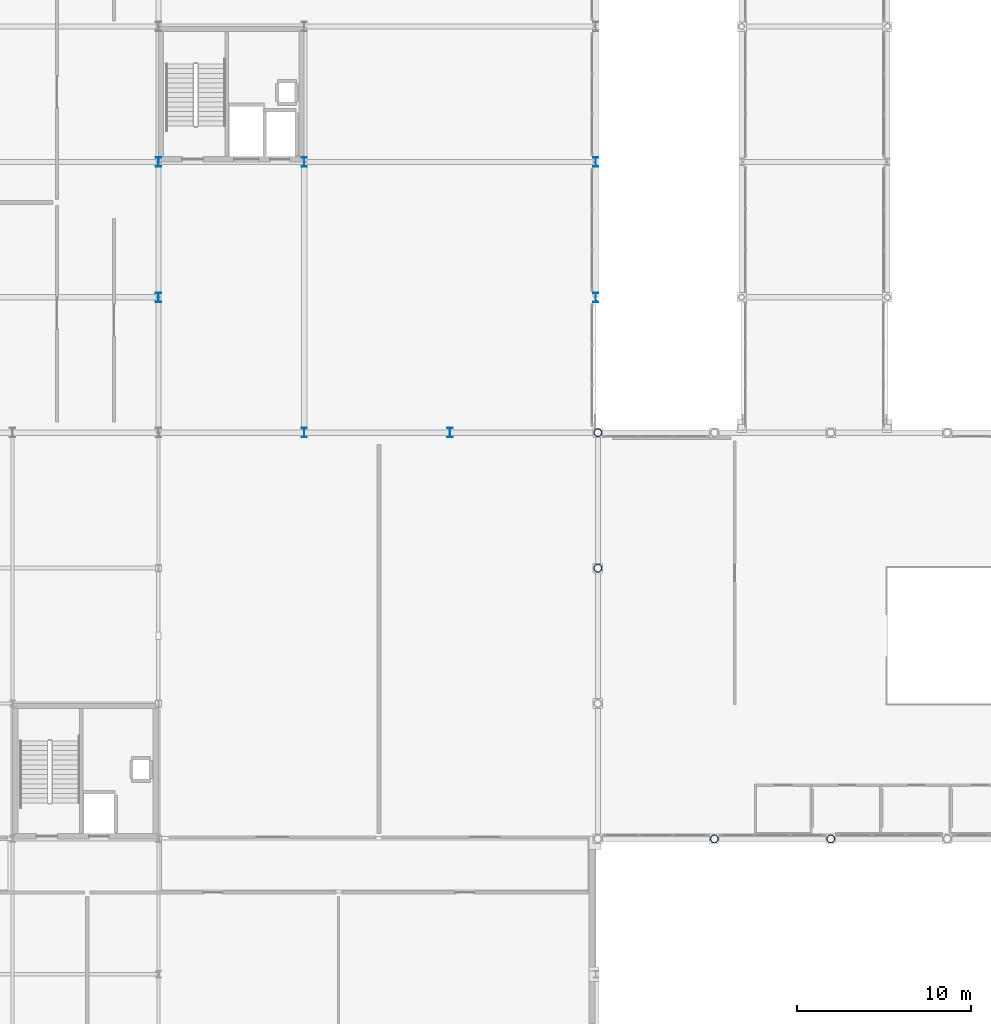
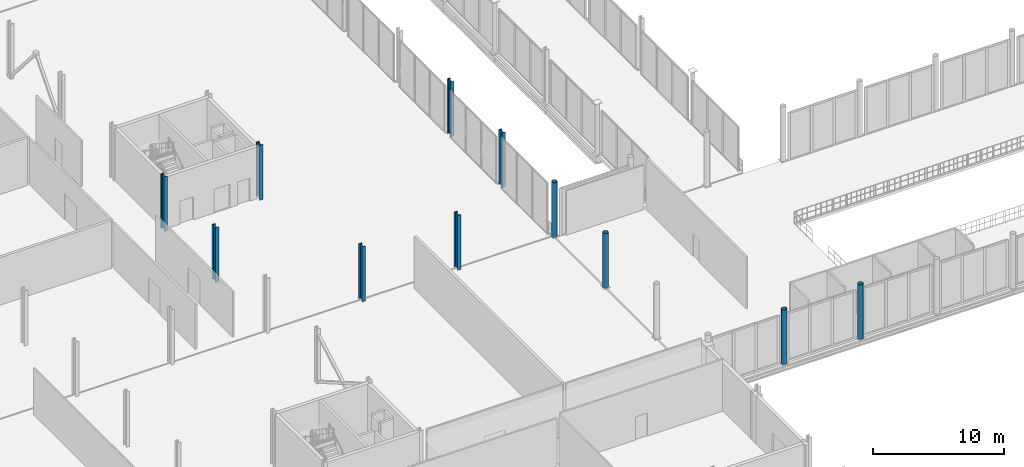
# One storey, part 4 of 105: 11 columns.
"""IFC4 building model written with IfcOpenShell, lengths in metres."""

from ifc_helpers import new_model, si_unit, direction, frame, origin, origin_2d, place, context, subcontext, project, spatial, hollow_circle, i_section, extrude, material, material_profile, profile_set, type_object, element, save


model = new_model("IFC4")

# Units and contexts
model_context = context("Model", 3, precision=1e-05, world=origin(), true_north=direction((0.0, 1.0)))
body_context = subcontext(model_context, "Body", "Model", "MODEL_VIEW")
ifc_project = project(units=[si_unit("LENGTHUNIT", "METRE"), si_unit("AREAUNIT", "SQUARE_METRE"), si_unit("VOLUMEUNIT", "CUBIC_METRE"), si_unit("PLANEANGLEUNIT", "RADIAN"), si_unit("MASSUNIT", "GRAM", prefix="KILO")], contexts=[model_context])

# Site, building, storey
site_placement = place(None, origin())
site = spatial("IfcSite", under=ifc_project, at=site_placement, CompositionType="ELEMENT")
building_placement = place(site_placement, origin())
building = spatial("IfcBuilding", under=site, at=building_placement, Name="Nabrawat Pavilion Hospital", CompositionType="ELEMENT")
storey_placement = place(building_placement, frame((0.0, 0.0, 5.10009765625)))
storey = spatial("IfcBuildingStorey", under=building, at=storey_placement, Name="L01", CompositionType="ELEMENT", Elevation=5.10009765625)

# Columns
ifc_material = material(Name="Steel S355", Category="steel")
ifc_material_profile_1 = material_profile(ifc_material, i_section(OverallWidth=0.300048828125, OverallDepth=0.550048828125, WebThickness=0.014892578125, FlangeThickness=0.029052734375, FilletRadius=0.027099609375, at=origin_2d()), Name="HEB 550")
ifc_profile_set_1 = profile_set([ifc_material_profile_1], Name="Steel S355")
column_type_1 = type_object("IfcColumnType", Name="Composite Steel Column HEB 550", PredefinedType="COLUMN", material=ifc_profile_set_1)
for number, where, z_axis, x_axis, name in (
    (1, (33.60009765625, 46.800048828125, 0.0), (0.0, 0.0, 1.0), (1.0, 0.0, 0.0), "L01 Structural Column G-5-G"),
    (2, (33.60009765625, 54.60009765625, 0.0), (0.0, 0.0, 1.0), (1.0, 0.0, 0.0), "L01 Structural Column G-5-H"),
    (3, (42.0, 39.0, 0.0), (0.0, 0.0, 1.0), (1.0, 0.0, 0.0), "L01 Structural Column G-6-F1"),
    (4, (42.0, 54.60009765625, 0.0), (0.0, 0.0, 1.0), (1.0, 0.0, 0.0), "L01 Structural Column G-6-H"),
    (5, (50.39990234375, 39.0, 0.0), (0.0, 0.0, 1.0), (1.0, 0.0, 0.0), "L01 Structural Column G-7-F1"),
    (6, (58.800048828125, 46.800048828125, 0.0), (0.0, 0.0, 1.0), (1.0, 0.0, 0.0), "L01 Structural Column G-8A-G"),
    (7, (58.800048828125, 54.60009765625, 0.0), (0.0, 0.0, 1.0), (1.0, 0.0, 0.0), "L01 Structural Column G-8A-H"),
):
    element("IfcColumn", number, at=place(storey_placement, frame(where, z_axis=z_axis, x_axis=x_axis)), inside=storey, type_object=column_type_1, Name=name, PredefinedType="COLUMN", context=body_context, shape_type="SweptSolid", body=[
        extrude(i_section(OverallWidth=0.300048828125, OverallDepth=0.550048828125, WebThickness=0.014892578125, FlangeThickness=0.029052734375, FilletRadius=0.027099609375, at=origin_2d()), origin(), (0.0, 0.0, 1.0), 5.099853515625),
    ])
ifc_material_profile_2 = material_profile(ifc_material, hollow_circle(Radius=0.228515625, WallThickness=0.02001953125, at=origin_2d()), Name="CHS 457x20")
ifc_profile_set_2 = profile_set([ifc_material_profile_2], Name="Steel S355")
column_type_2 = type_object("IfcColumnType", Name="Expressed Pavilion Tubular Column CHS 457x20", PredefinedType="COLUMN", material=ifc_profile_set_2)
for number, where, z_axis, x_axis, name in (
    (8, (58.919921875, 39.0, 0.0), (0.0, 0.0, 1.0), (1.0, 0.0, 0.0), "L01 Expressed Pavilion Column MH-N00"),
    (9, (65.6279296875, 15.60009765625, 0.0), (0.0, 0.0, 1.0), (1.0, 0.0, 0.0), "L01 Expressed Pavilion Column MH-S01"),
    (10, (72.3359375, 15.60009765625, 0.0), (0.0, 0.0, 1.0), (1.0, 0.0, 0.0), "L01 Expressed Pavilion Column MH-S02"),
    (11, (58.919921875, 31.199951171875, 0.0), (0.0, 0.0, 1.0), (1.0, 0.0, 0.0), "L01 Expressed Pavilion Column MH-W02"),
):
    element("IfcColumn", number, at=place(storey_placement, frame(where, z_axis=z_axis, x_axis=x_axis)), inside=storey, type_object=column_type_2, Name=name, PredefinedType="COLUMN", context=body_context, shape_type="SweptSolid", body=[
        extrude(hollow_circle(Radius=0.228515625, WallThickness=0.02001953125, at=origin_2d()), origin(), (0.0, 0.0, 1.0), 5.099853515625),
    ])

save(model, "model.ifc")
